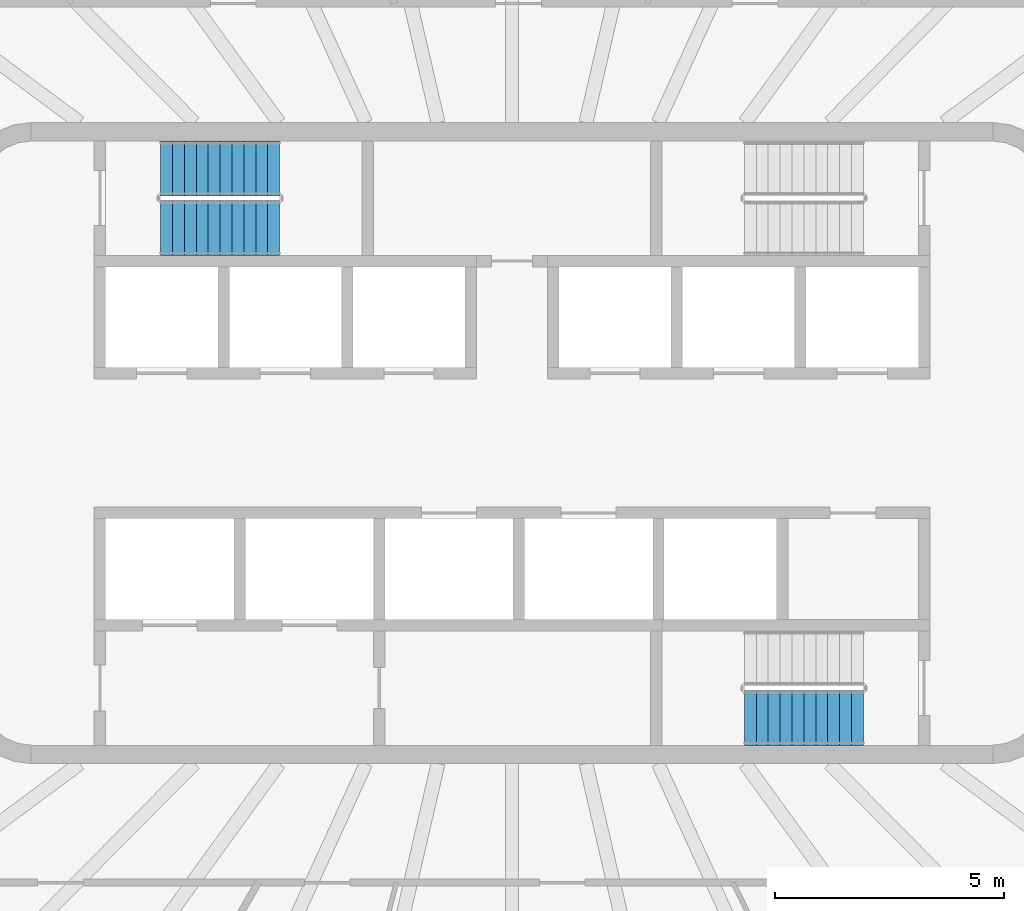
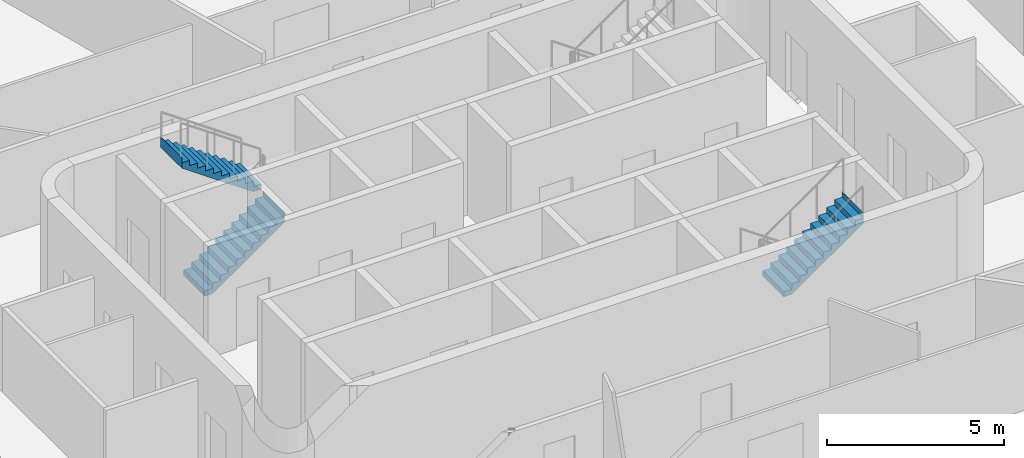
# One storey, part 13 of 19: 3 stair flights, 2 elements without a shape of their own.
"""IFC4 building model written with IfcOpenShell, lengths in metres."""

from ifc_helpers import new_model, si_unit, direction, frame, origin, place, context, subcontext, project, spatial, triangles, material, type_object, element, aggregate, save


model = new_model("IFC4")

# Units and contexts
model_context = context("Model", 3, precision=1e-05, world=origin(), true_north=direction((0.0, 1.0)))
body_context = subcontext(model_context, "Body", "Model", "MODEL_VIEW")
ifc_project = project(units=[si_unit("LENGTHUNIT", "METRE"), si_unit("AREAUNIT", "SQUARE_METRE"), si_unit("VOLUMEUNIT", "CUBIC_METRE"), si_unit("PLANEANGLEUNIT", "RADIAN"), si_unit("MASSUNIT", "GRAM", prefix="KILO")], contexts=[model_context])

# Site, building, storey
site_placement = place(None, origin())
site = spatial("IfcSite", under=ifc_project, at=site_placement, CompositionType="ELEMENT")
building_placement = place(site_placement, origin())
building = spatial("IfcBuilding", under=site, at=building_placement, Name="Sahrelin Media Tower", CompositionType="ELEMENT")
storey_placement = place(building_placement, frame((0.0, 0.0, 229.60009765625)))
storey = spatial("IfcBuildingStorey", under=building, at=storey_placement, Name="L49", CompositionType="ELEMENT", Elevation=229.60009765625)

# Stair, stair flights
ifc_material = material(Name="Concrete C40/50", Category="concrete")
stair_type = type_object("IfcStairType", Name="Exit stair 1200", PredefinedType="HALF_TURN_STAIR", material=ifc_material)
placement = place(storey_placement, origin())
stair_1 = element("IfcStair", 1, at=placement, inside=storey, type_object=stair_type, Name="L49 Exit stair ST1", PredefinedType="HALF_TURN_STAIR")
stair_flight_type = type_object("IfcStairFlightType", Name="Stair flight 1200", PredefinedType="STRAIGHT", material=ifc_material)
stair_flight_1_placement = place(storey_placement, frame((-7.675048828125, 4.699951171875, 0.0), z_axis=(0.0, 0.0, 1.0), x_axis=(1.0, 0.0, 0.0)))
stair_flight_1 = element("IfcStairFlight", 2, at=stair_flight_1_placement, type_object=stair_flight_type, Name="ST1 flight 1", NumberOfRisers=11, NumberOfTreads=10, PredefinedType="STRAIGHT", RiserHeight=0.181818182, TreadLength=0.26, context=body_context, shape_type="Tessellation", body=[
    triangles([(0.261474609375, 0.60009765625, 0.0), (0.261474609375, 0.300048828125, 0.0), (0.261474609375, 0.0, 0.0), (0.261474609375, -0.300048828125, 0.0), (0.261474609375, -0.60009765625, 0.0), (2.60009765625, 0.60009765625, 1.63525390625), (2.60009765625, 0.300048828125, 1.63525390625), (2.60009765625, 0.0, 1.63525390625), (2.60009765625, -0.300048828125, 1.63525390625), (2.60009765625, -0.60009765625, 1.63525390625), (2.60009765625, 0.60009765625, 2.0), (2.60009765625, 0.300048828125, 2.0), (2.60009765625, 0.0, 2.0), (2.60009765625, -0.300048828125, 2.0), (2.60009765625, -0.60009765625, 2.0), (2.597900390625, 0.60009765625, 2.0), (2.597900390625, 0.300048828125, 2.0), (2.597900390625, 0.0, 2.0), (2.597900390625, -0.300048828125, 2.0), (2.597900390625, -0.60009765625, 2.0), (2.597900390625, 0.60009765625, 1.818115234375), (2.597900390625, 0.300048828125, 1.818115234375), (2.597900390625, 0.0, 1.818115234375), (2.597900390625, -0.300048828125, 1.818115234375), (2.597900390625, -0.60009765625, 1.818115234375), (2.340087890625, 0.60009765625, 1.818115234375), (2.340087890625, 0.300048828125, 1.818115234375), (2.340087890625, 0.0, 1.818115234375), (2.340087890625, -0.300048828125, 1.818115234375), (2.340087890625, -0.60009765625, 1.818115234375), (2.340087890625, 0.60009765625, 1.636474609375), (2.340087890625, 0.300048828125, 1.636474609375), (2.340087890625, 0.0, 1.636474609375), (2.340087890625, -0.300048828125, 1.636474609375), (2.340087890625, -0.60009765625, 1.636474609375), (2.080078125, 0.60009765625, 1.636474609375), (2.080078125, 0.300048828125, 1.636474609375), (2.080078125, 0.0, 1.636474609375), (2.080078125, -0.300048828125, 1.636474609375), (2.080078125, -0.60009765625, 1.636474609375), (2.080078125, 0.60009765625, 1.45458984375), (2.080078125, 0.300048828125, 1.45458984375), (2.080078125, 0.0, 1.45458984375), (2.080078125, -0.300048828125, 1.45458984375), (2.080078125, -0.60009765625, 1.45458984375), (1.820068359375, 0.60009765625, 1.45458984375), (1.820068359375, 0.300048828125, 1.45458984375), (1.820068359375, 0.0, 1.45458984375), (1.820068359375, -0.300048828125, 1.45458984375), (1.820068359375, -0.60009765625, 1.45458984375), (1.820068359375, 0.60009765625, 1.272705078125), (1.820068359375, 0.300048828125, 1.272705078125), (1.820068359375, 0.0, 1.272705078125), (1.820068359375, -0.300048828125, 1.272705078125), (1.820068359375, -0.60009765625, 1.272705078125), (1.56005859375, 0.60009765625, 1.272705078125), (1.56005859375, 0.300048828125, 1.272705078125), (1.56005859375, 0.0, 1.272705078125), (1.56005859375, -0.300048828125, 1.272705078125), (1.56005859375, -0.60009765625, 1.272705078125), (1.56005859375, 0.60009765625, 1.0908203125), (1.56005859375, 0.300048828125, 1.0908203125), (1.56005859375, 0.0, 1.0908203125), (1.56005859375, -0.300048828125, 1.0908203125), (1.56005859375, -0.60009765625, 1.0908203125), (1.300048828125, 0.60009765625, 1.0908203125), (1.300048828125, 0.300048828125, 1.0908203125), (1.300048828125, 0.0, 1.0908203125), (1.300048828125, -0.300048828125, 1.0908203125), (1.300048828125, -0.60009765625, 1.0908203125), (1.300048828125, 0.60009765625, 0.9091796875), (1.300048828125, 0.300048828125, 0.9091796875), (1.300048828125, 0.0, 0.9091796875), (1.300048828125, -0.300048828125, 0.9091796875), (1.300048828125, -0.60009765625, 0.9091796875), (1.0400390625, 0.60009765625, 0.9091796875), (1.0400390625, 0.300048828125, 0.9091796875), (1.0400390625, 0.0, 0.9091796875), (1.0400390625, -0.300048828125, 0.9091796875), (1.0400390625, -0.60009765625, 0.9091796875), (1.0400390625, 0.60009765625, 0.727294921875), (1.0400390625, 0.300048828125, 0.727294921875), (1.0400390625, 0.0, 0.727294921875), (1.0400390625, -0.300048828125, 0.727294921875), (1.0400390625, -0.60009765625, 0.727294921875), (0.780029296875, 0.60009765625, 0.727294921875), (0.780029296875, 0.300048828125, 0.727294921875), (0.780029296875, 0.0, 0.727294921875), (0.780029296875, -0.300048828125, 0.727294921875), (0.780029296875, -0.60009765625, 0.727294921875), (0.780029296875, 0.60009765625, 0.54541015625), (0.780029296875, 0.300048828125, 0.54541015625), (0.780029296875, 0.0, 0.54541015625), (0.780029296875, -0.300048828125, 0.54541015625), (0.780029296875, -0.60009765625, 0.54541015625), (0.52001953125, 0.60009765625, 0.54541015625), (0.52001953125, 0.300048828125, 0.54541015625), (0.52001953125, 0.0, 0.54541015625), (0.52001953125, -0.300048828125, 0.54541015625), (0.52001953125, -0.60009765625, 0.54541015625), (0.52001953125, 0.60009765625, 0.363525390625), (0.52001953125, 0.300048828125, 0.363525390625), (0.52001953125, 0.0, 0.363525390625), (0.52001953125, -0.300048828125, 0.363525390625), (0.52001953125, -0.60009765625, 0.363525390625), (0.260009765625, 0.60009765625, 0.363525390625), (0.260009765625, 0.300048828125, 0.363525390625), (0.260009765625, 0.0, 0.363525390625), (0.260009765625, -0.300048828125, 0.363525390625), (0.260009765625, -0.60009765625, 0.363525390625), (0.260009765625, 0.60009765625, 0.181884765625), (0.260009765625, 0.300048828125, 0.181884765625), (0.260009765625, 0.0, 0.181884765625), (0.260009765625, -0.300048828125, 0.181884765625), (0.260009765625, -0.60009765625, 0.181884765625), (0.0, 0.60009765625, 0.181884765625), (0.0, 0.300048828125, 0.181884765625), (0.0, 0.0, 0.181884765625), (0.0, -0.300048828125, 0.181884765625), (0.0, -0.60009765625, 0.181884765625), (0.0, 0.60009765625, 0.0), (0.0, 0.300048828125, 0.0), (0.0, 0.0, 0.0), (0.0, -0.300048828125, 0.0), (0.0, -0.60009765625, 0.0)], [[1, 6, 7], [1, 7, 2], [2, 7, 8], [2, 8, 3], [3, 8, 9], [3, 9, 4], [4, 9, 10], [4, 10, 5], [6, 11, 12], [6, 12, 7], [7, 12, 13], [7, 13, 8], [8, 13, 14], [8, 14, 9], [9, 14, 15], [9, 15, 10], [11, 16, 17], [11, 17, 12], [12, 17, 18], [12, 18, 13], [13, 18, 19], [13, 19, 14], [14, 19, 20], [14, 20, 15], [16, 21, 22], [16, 22, 17], [17, 22, 23], [17, 23, 18], [18, 23, 24], [18, 24, 19], [19, 24, 25], [19, 25, 20], [21, 26, 27], [21, 27, 22], [22, 27, 28], [22, 28, 23], [23, 28, 29], [23, 29, 24], [24, 29, 30], [24, 30, 25], [26, 31, 32], [26, 32, 27], [27, 32, 33], [27, 33, 28], [28, 33, 34], [28, 34, 29], [29, 34, 35], [29, 35, 30], [31, 36, 37], [31, 37, 32], [32, 37, 38], [32, 38, 33], [33, 38, 39], [33, 39, 34], [34, 39, 40], [34, 40, 35], [36, 41, 42], [36, 42, 37], [37, 42, 43], [37, 43, 38], [38, 43, 44], [38, 44, 39], [39, 44, 45], [39, 45, 40], [41, 46, 47], [41, 47, 42], [42, 47, 48], [42, 48, 43], [43, 48, 49], [43, 49, 44], [44, 49, 50], [44, 50, 45], [46, 51, 52], [46, 52, 47], [47, 52, 53], [47, 53, 48], [48, 53, 54], [48, 54, 49], [49, 54, 55], [49, 55, 50], [51, 56, 57], [51, 57, 52], [52, 57, 58], [52, 58, 53], [53, 58, 59], [53, 59, 54], [54, 59, 60], [54, 60, 55], [56, 61, 62], [56, 62, 57], [57, 62, 63], [57, 63, 58], [58, 63, 64], [58, 64, 59], [59, 64, 65], [59, 65, 60], [61, 66, 67], [61, 67, 62], [62, 67, 68], [62, 68, 63], [63, 68, 69], [63, 69, 64], [64, 69, 70], [64, 70, 65], [66, 71, 72], [66, 72, 67], [67, 72, 73], [67, 73, 68], [68, 73, 74], [68, 74, 69], [69, 74, 75], [69, 75, 70], [71, 76, 77], [71, 77, 72], [72, 77, 78], [72, 78, 73], [73, 78, 79], [73, 79, 74], [74, 79, 80], [74, 80, 75], [76, 81, 82], [76, 82, 77], [77, 82, 83], [77, 83, 78], [78, 83, 84], [78, 84, 79], [79, 84, 85], [79, 85, 80], [81, 86, 87], [81, 87, 82], [82, 87, 88], [82, 88, 83], [83, 88, 89], [83, 89, 84], [84, 89, 90], [84, 90, 85], [86, 91, 92], [86, 92, 87], [87, 92, 93], [87, 93, 88], [88, 93, 94], [88, 94, 89], [89, 94, 95], [89, 95, 90], [91, 96, 97], [91, 97, 92], [92, 97, 98], [92, 98, 93], [93, 98, 99], [93, 99, 94], [94, 99, 100], [94, 100, 95], [96, 101, 102], [96, 102, 97], [97, 102, 103], [97, 103, 98], [98, 103, 104], [98, 104, 99], [99, 104, 105], [99, 105, 100], [101, 106, 107], [101, 107, 102], [102, 107, 108], [102, 108, 103], [103, 108, 109], [103, 109, 104], [104, 109, 110], [104, 110, 105], [106, 111, 112], [106, 112, 107], [107, 112, 113], [107, 113, 108], [108, 113, 114], [108, 114, 109], [109, 114, 115], [109, 115, 110], [111, 116, 117], [111, 117, 112], [112, 117, 118], [112, 118, 113], [113, 118, 119], [113, 119, 114], [114, 119, 120], [114, 120, 115], [116, 121, 122], [116, 122, 117], [117, 122, 123], [117, 123, 118], [118, 123, 124], [118, 124, 119], [119, 124, 125], [119, 125, 120], [121, 1, 2], [121, 2, 122], [122, 2, 3], [122, 3, 123], [123, 3, 4], [123, 4, 124], [124, 4, 5], [124, 5, 125], [115, 120, 125], [111, 121, 116], [115, 105, 110], [111, 106, 101], [105, 95, 100], [101, 96, 91], [95, 85, 90], [91, 86, 81], [85, 75, 80], [81, 76, 71], [75, 65, 70], [71, 66, 61], [65, 55, 60], [61, 56, 51], [55, 45, 50], [51, 46, 41], [45, 35, 40], [41, 36, 31], [35, 25, 30], [31, 26, 21], [25, 15, 20], [21, 16, 11], [125, 5, 115], [121, 111, 1], [25, 10, 15], [21, 11, 6], [105, 115, 5], [101, 1, 111], [35, 10, 25], [31, 21, 6], [95, 105, 5], [91, 1, 101], [45, 10, 35], [41, 31, 6], [85, 95, 5], [81, 1, 91], [55, 10, 45], [51, 41, 6], [75, 85, 5], [71, 1, 81], [65, 10, 55], [61, 51, 6], [5, 10, 75], [1, 71, 6], [75, 10, 65], [71, 61, 6]], closed=True),
])
stair_flight_2_placement = place(storey_placement, frame((-5.074951171875, 6.0, 2.0), z_axis=(0.0, 0.0, 1.0), x_axis=(-1.0, 0.0, 0.0)))
stair_flight_2 = element("IfcStairFlight", 3, at=stair_flight_2_placement, type_object=stair_flight_type, Name="ST1 flight 2", NumberOfRisers=11, NumberOfTreads=10, PredefinedType="STRAIGHT", RiserHeight=0.181818182, TreadLength=0.26, context=body_context, shape_type="Tessellation", body=[
    triangles([(0.261474609375, 0.60009765625, 0.0), (0.261474609375, 0.300048828125, 0.0), (0.261474609375, 0.0, 0.0), (0.261474609375, -0.300048828125, 0.0), (0.261474609375, -0.60009765625, 0.0), (2.60009765625, 0.60009765625, 1.63525390625), (2.60009765625, 0.300048828125, 1.63525390625), (2.60009765625, 0.0, 1.63525390625), (2.60009765625, -0.300048828125, 1.63525390625), (2.60009765625, -0.60009765625, 1.63525390625), (2.60009765625, 0.60009765625, 2.0), (2.60009765625, 0.300048828125, 2.0), (2.60009765625, 0.0, 2.0), (2.60009765625, -0.300048828125, 2.0), (2.60009765625, -0.60009765625, 2.0), (2.597900390625, 0.60009765625, 2.0), (2.597900390625, 0.300048828125, 2.0), (2.597900390625, 0.0, 2.0), (2.597900390625, -0.300048828125, 2.0), (2.597900390625, -0.60009765625, 2.0), (2.597900390625, 0.60009765625, 1.818115234375), (2.597900390625, 0.300048828125, 1.818115234375), (2.597900390625, 0.0, 1.818115234375), (2.597900390625, -0.300048828125, 1.818115234375), (2.597900390625, -0.60009765625, 1.818115234375), (2.340087890625, 0.60009765625, 1.818115234375), (2.340087890625, 0.300048828125, 1.818115234375), (2.340087890625, 0.0, 1.818115234375), (2.340087890625, -0.300048828125, 1.818115234375), (2.340087890625, -0.60009765625, 1.818115234375), (2.340087890625, 0.60009765625, 1.636474609375), (2.340087890625, 0.300048828125, 1.636474609375), (2.340087890625, 0.0, 1.636474609375), (2.340087890625, -0.300048828125, 1.636474609375), (2.340087890625, -0.60009765625, 1.636474609375), (2.080078125, 0.60009765625, 1.636474609375), (2.080078125, 0.300048828125, 1.636474609375), (2.080078125, 0.0, 1.636474609375), (2.080078125, -0.300048828125, 1.636474609375), (2.080078125, -0.60009765625, 1.636474609375), (2.080078125, 0.60009765625, 1.45458984375), (2.080078125, 0.300048828125, 1.45458984375), (2.080078125, 0.0, 1.45458984375), (2.080078125, -0.300048828125, 1.45458984375), (2.080078125, -0.60009765625, 1.45458984375), (1.820068359375, 0.60009765625, 1.45458984375), (1.820068359375, 0.300048828125, 1.45458984375), (1.820068359375, 0.0, 1.45458984375), (1.820068359375, -0.300048828125, 1.45458984375), (1.820068359375, -0.60009765625, 1.45458984375), (1.820068359375, 0.60009765625, 1.272705078125), (1.820068359375, 0.300048828125, 1.272705078125), (1.820068359375, 0.0, 1.272705078125), (1.820068359375, -0.300048828125, 1.272705078125), (1.820068359375, -0.60009765625, 1.272705078125), (1.56005859375, 0.60009765625, 1.272705078125), (1.56005859375, 0.300048828125, 1.272705078125), (1.56005859375, 0.0, 1.272705078125), (1.56005859375, -0.300048828125, 1.272705078125), (1.56005859375, -0.60009765625, 1.272705078125), (1.56005859375, 0.60009765625, 1.0908203125), (1.56005859375, 0.300048828125, 1.0908203125), (1.56005859375, 0.0, 1.0908203125), (1.56005859375, -0.300048828125, 1.0908203125), (1.56005859375, -0.60009765625, 1.0908203125), (1.300048828125, 0.60009765625, 1.0908203125), (1.300048828125, 0.300048828125, 1.0908203125), (1.300048828125, 0.0, 1.0908203125), (1.300048828125, -0.300048828125, 1.0908203125), (1.300048828125, -0.60009765625, 1.0908203125), (1.300048828125, 0.60009765625, 0.9091796875), (1.300048828125, 0.300048828125, 0.9091796875), (1.300048828125, 0.0, 0.9091796875), (1.300048828125, -0.300048828125, 0.9091796875), (1.300048828125, -0.60009765625, 0.9091796875), (1.0400390625, 0.60009765625, 0.9091796875), (1.0400390625, 0.300048828125, 0.9091796875), (1.0400390625, 0.0, 0.9091796875), (1.0400390625, -0.300048828125, 0.9091796875), (1.0400390625, -0.60009765625, 0.9091796875), (1.0400390625, 0.60009765625, 0.727294921875), (1.0400390625, 0.300048828125, 0.727294921875), (1.0400390625, 0.0, 0.727294921875), (1.0400390625, -0.300048828125, 0.727294921875), (1.0400390625, -0.60009765625, 0.727294921875), (0.780029296875, 0.60009765625, 0.727294921875), (0.780029296875, 0.300048828125, 0.727294921875), (0.780029296875, 0.0, 0.727294921875), (0.780029296875, -0.300048828125, 0.727294921875), (0.780029296875, -0.60009765625, 0.727294921875), (0.780029296875, 0.60009765625, 0.54541015625), (0.780029296875, 0.300048828125, 0.54541015625), (0.780029296875, 0.0, 0.54541015625), (0.780029296875, -0.300048828125, 0.54541015625), (0.780029296875, -0.60009765625, 0.54541015625), (0.52001953125, 0.60009765625, 0.54541015625), (0.52001953125, 0.300048828125, 0.54541015625), (0.52001953125, 0.0, 0.54541015625), (0.52001953125, -0.300048828125, 0.54541015625), (0.52001953125, -0.60009765625, 0.54541015625), (0.52001953125, 0.60009765625, 0.363525390625), (0.52001953125, 0.300048828125, 0.363525390625), (0.52001953125, 0.0, 0.363525390625), (0.52001953125, -0.300048828125, 0.363525390625), (0.52001953125, -0.60009765625, 0.363525390625), (0.260009765625, 0.60009765625, 0.363525390625), (0.260009765625, 0.300048828125, 0.363525390625), (0.260009765625, 0.0, 0.363525390625), (0.260009765625, -0.300048828125, 0.363525390625), (0.260009765625, -0.60009765625, 0.363525390625), (0.260009765625, 0.60009765625, 0.181884765625), (0.260009765625, 0.300048828125, 0.181884765625), (0.260009765625, 0.0, 0.181884765625), (0.260009765625, -0.300048828125, 0.181884765625), (0.260009765625, -0.60009765625, 0.181884765625), (0.0, 0.60009765625, 0.181884765625), (0.0, 0.300048828125, 0.181884765625), (0.0, 0.0, 0.181884765625), (0.0, -0.300048828125, 0.181884765625), (0.0, -0.60009765625, 0.181884765625), (0.0, 0.60009765625, 0.0), (0.0, 0.300048828125, 0.0), (0.0, 0.0, 0.0), (0.0, -0.300048828125, 0.0), (0.0, -0.60009765625, 0.0)], [[1, 6, 7], [1, 7, 2], [2, 7, 8], [2, 8, 3], [3, 8, 9], [3, 9, 4], [4, 9, 10], [4, 10, 5], [6, 11, 12], [6, 12, 7], [7, 12, 13], [7, 13, 8], [8, 13, 14], [8, 14, 9], [9, 14, 15], [9, 15, 10], [11, 16, 17], [11, 17, 12], [12, 17, 18], [12, 18, 13], [13, 18, 19], [13, 19, 14], [14, 19, 20], [14, 20, 15], [16, 21, 22], [16, 22, 17], [17, 22, 23], [17, 23, 18], [18, 23, 24], [18, 24, 19], [19, 24, 25], [19, 25, 20], [21, 26, 27], [21, 27, 22], [22, 27, 28], [22, 28, 23], [23, 28, 29], [23, 29, 24], [24, 29, 30], [24, 30, 25], [26, 31, 32], [26, 32, 27], [27, 32, 33], [27, 33, 28], [28, 33, 34], [28, 34, 29], [29, 34, 35], [29, 35, 30], [31, 36, 37], [31, 37, 32], [32, 37, 38], [32, 38, 33], [33, 38, 39], [33, 39, 34], [34, 39, 40], [34, 40, 35], [36, 41, 42], [36, 42, 37], [37, 42, 43], [37, 43, 38], [38, 43, 44], [38, 44, 39], [39, 44, 45], [39, 45, 40], [41, 46, 47], [41, 47, 42], [42, 47, 48], [42, 48, 43], [43, 48, 49], [43, 49, 44], [44, 49, 50], [44, 50, 45], [46, 51, 52], [46, 52, 47], [47, 52, 53], [47, 53, 48], [48, 53, 54], [48, 54, 49], [49, 54, 55], [49, 55, 50], [51, 56, 57], [51, 57, 52], [52, 57, 58], [52, 58, 53], [53, 58, 59], [53, 59, 54], [54, 59, 60], [54, 60, 55], [56, 61, 62], [56, 62, 57], [57, 62, 63], [57, 63, 58], [58, 63, 64], [58, 64, 59], [59, 64, 65], [59, 65, 60], [61, 66, 67], [61, 67, 62], [62, 67, 68], [62, 68, 63], [63, 68, 69], [63, 69, 64], [64, 69, 70], [64, 70, 65], [66, 71, 72], [66, 72, 67], [67, 72, 73], [67, 73, 68], [68, 73, 74], [68, 74, 69], [69, 74, 75], [69, 75, 70], [71, 76, 77], [71, 77, 72], [72, 77, 78], [72, 78, 73], [73, 78, 79], [73, 79, 74], [74, 79, 80], [74, 80, 75], [76, 81, 82], [76, 82, 77], [77, 82, 83], [77, 83, 78], [78, 83, 84], [78, 84, 79], [79, 84, 85], [79, 85, 80], [81, 86, 87], [81, 87, 82], [82, 87, 88], [82, 88, 83], [83, 88, 89], [83, 89, 84], [84, 89, 90], [84, 90, 85], [86, 91, 92], [86, 92, 87], [87, 92, 93], [87, 93, 88], [88, 93, 94], [88, 94, 89], [89, 94, 95], [89, 95, 90], [91, 96, 97], [91, 97, 92], [92, 97, 98], [92, 98, 93], [93, 98, 99], [93, 99, 94], [94, 99, 100], [94, 100, 95], [96, 101, 102], [96, 102, 97], [97, 102, 103], [97, 103, 98], [98, 103, 104], [98, 104, 99], [99, 104, 105], [99, 105, 100], [101, 106, 107], [101, 107, 102], [102, 107, 108], [102, 108, 103], [103, 108, 109], [103, 109, 104], [104, 109, 110], [104, 110, 105], [106, 111, 112], [106, 112, 107], [107, 112, 113], [107, 113, 108], [108, 113, 114], [108, 114, 109], [109, 114, 115], [109, 115, 110], [111, 116, 117], [111, 117, 112], [112, 117, 118], [112, 118, 113], [113, 118, 119], [113, 119, 114], [114, 119, 120], [114, 120, 115], [116, 121, 122], [116, 122, 117], [117, 122, 123], [117, 123, 118], [118, 123, 124], [118, 124, 119], [119, 124, 125], [119, 125, 120], [121, 1, 2], [121, 2, 122], [122, 2, 3], [122, 3, 123], [123, 3, 4], [123, 4, 124], [124, 4, 5], [124, 5, 125], [115, 120, 125], [111, 121, 116], [115, 105, 110], [111, 106, 101], [105, 95, 100], [101, 96, 91], [95, 85, 90], [91, 86, 81], [85, 75, 80], [81, 76, 71], [75, 65, 70], [71, 66, 61], [65, 55, 60], [61, 56, 51], [55, 45, 50], [51, 46, 41], [45, 35, 40], [41, 36, 31], [35, 25, 30], [31, 26, 21], [25, 15, 20], [21, 16, 11], [125, 5, 115], [121, 111, 1], [25, 10, 15], [21, 11, 6], [105, 115, 5], [101, 1, 111], [35, 10, 25], [31, 21, 6], [95, 105, 5], [91, 1, 101], [45, 10, 35], [41, 31, 6], [85, 95, 5], [81, 1, 91], [55, 10, 45], [51, 41, 6], [75, 85, 5], [71, 1, 81], [65, 10, 55], [61, 51, 6], [5, 10, 75], [1, 71, 6], [75, 10, 65], [71, 61, 6]], closed=True),
])
aggregate(stair_1, [stair_flight_1, stair_flight_2])

# Stair, stair flight
stair_2 = element("IfcStair", 4, at=placement, inside=storey, type_object=stair_type, Name="L49 Exit stair ST2", PredefinedType="HALF_TURN_STAIR")
stair_flight_3_placement = place(storey_placement, frame((5.074951171875, -6.0, 2.0), z_axis=(0.0, 0.0, 1.0), x_axis=(1.0, 0.0, 0.0)))
stair_flight_3 = element("IfcStairFlight", 5, at=stair_flight_3_placement, type_object=stair_flight_type, Name="ST2 flight 2", NumberOfRisers=11, NumberOfTreads=10, PredefinedType="STRAIGHT", RiserHeight=0.181818182, TreadLength=0.26, context=body_context, shape_type="Tessellation", body=[
    triangles([(0.261474609375, 0.60009765625, 0.0), (0.261474609375, 0.300048828125, 0.0), (0.261474609375, 0.0, 0.0), (0.261474609375, -0.300048828125, 0.0), (0.261474609375, -0.60009765625, 0.0), (2.60009765625, 0.60009765625, 1.63525390625), (2.60009765625, 0.300048828125, 1.63525390625), (2.60009765625, 0.0, 1.63525390625), (2.60009765625, -0.300048828125, 1.63525390625), (2.60009765625, -0.60009765625, 1.63525390625), (2.60009765625, 0.60009765625, 2.0), (2.60009765625, 0.300048828125, 2.0), (2.60009765625, 0.0, 2.0), (2.60009765625, -0.300048828125, 2.0), (2.60009765625, -0.60009765625, 2.0), (2.597900390625, 0.60009765625, 2.0), (2.597900390625, 0.300048828125, 2.0), (2.597900390625, 0.0, 2.0), (2.597900390625, -0.300048828125, 2.0), (2.597900390625, -0.60009765625, 2.0), (2.597900390625, 0.60009765625, 1.818115234375), (2.597900390625, 0.300048828125, 1.818115234375), (2.597900390625, 0.0, 1.818115234375), (2.597900390625, -0.300048828125, 1.818115234375), (2.597900390625, -0.60009765625, 1.818115234375), (2.340087890625, 0.60009765625, 1.818115234375), (2.340087890625, 0.300048828125, 1.818115234375), (2.340087890625, 0.0, 1.818115234375), (2.340087890625, -0.300048828125, 1.818115234375), (2.340087890625, -0.60009765625, 1.818115234375), (2.340087890625, 0.60009765625, 1.636474609375), (2.340087890625, 0.300048828125, 1.636474609375), (2.340087890625, 0.0, 1.636474609375), (2.340087890625, -0.300048828125, 1.636474609375), (2.340087890625, -0.60009765625, 1.636474609375), (2.080078125, 0.60009765625, 1.636474609375), (2.080078125, 0.300048828125, 1.636474609375), (2.080078125, 0.0, 1.636474609375), (2.080078125, -0.300048828125, 1.636474609375), (2.080078125, -0.60009765625, 1.636474609375), (2.080078125, 0.60009765625, 1.45458984375), (2.080078125, 0.300048828125, 1.45458984375), (2.080078125, 0.0, 1.45458984375), (2.080078125, -0.300048828125, 1.45458984375), (2.080078125, -0.60009765625, 1.45458984375), (1.820068359375, 0.60009765625, 1.45458984375), (1.820068359375, 0.300048828125, 1.45458984375), (1.820068359375, 0.0, 1.45458984375), (1.820068359375, -0.300048828125, 1.45458984375), (1.820068359375, -0.60009765625, 1.45458984375), (1.820068359375, 0.60009765625, 1.272705078125), (1.820068359375, 0.300048828125, 1.272705078125), (1.820068359375, 0.0, 1.272705078125), (1.820068359375, -0.300048828125, 1.272705078125), (1.820068359375, -0.60009765625, 1.272705078125), (1.56005859375, 0.60009765625, 1.272705078125), (1.56005859375, 0.300048828125, 1.272705078125), (1.56005859375, 0.0, 1.272705078125), (1.56005859375, -0.300048828125, 1.272705078125), (1.56005859375, -0.60009765625, 1.272705078125), (1.56005859375, 0.60009765625, 1.0908203125), (1.56005859375, 0.300048828125, 1.0908203125), (1.56005859375, 0.0, 1.0908203125), (1.56005859375, -0.300048828125, 1.0908203125), (1.56005859375, -0.60009765625, 1.0908203125), (1.300048828125, 0.60009765625, 1.0908203125), (1.300048828125, 0.300048828125, 1.0908203125), (1.300048828125, 0.0, 1.0908203125), (1.300048828125, -0.300048828125, 1.0908203125), (1.300048828125, -0.60009765625, 1.0908203125), (1.300048828125, 0.60009765625, 0.9091796875), (1.300048828125, 0.300048828125, 0.9091796875), (1.300048828125, 0.0, 0.9091796875), (1.300048828125, -0.300048828125, 0.9091796875), (1.300048828125, -0.60009765625, 0.9091796875), (1.0400390625, 0.60009765625, 0.9091796875), (1.0400390625, 0.300048828125, 0.9091796875), (1.0400390625, 0.0, 0.9091796875), (1.0400390625, -0.300048828125, 0.9091796875), (1.0400390625, -0.60009765625, 0.9091796875), (1.0400390625, 0.60009765625, 0.727294921875), (1.0400390625, 0.300048828125, 0.727294921875), (1.0400390625, 0.0, 0.727294921875), (1.0400390625, -0.300048828125, 0.727294921875), (1.0400390625, -0.60009765625, 0.727294921875), (0.780029296875, 0.60009765625, 0.727294921875), (0.780029296875, 0.300048828125, 0.727294921875), (0.780029296875, 0.0, 0.727294921875), (0.780029296875, -0.300048828125, 0.727294921875), (0.780029296875, -0.60009765625, 0.727294921875), (0.780029296875, 0.60009765625, 0.54541015625), (0.780029296875, 0.300048828125, 0.54541015625), (0.780029296875, 0.0, 0.54541015625), (0.780029296875, -0.300048828125, 0.54541015625), (0.780029296875, -0.60009765625, 0.54541015625), (0.52001953125, 0.60009765625, 0.54541015625), (0.52001953125, 0.300048828125, 0.54541015625), (0.52001953125, 0.0, 0.54541015625), (0.52001953125, -0.300048828125, 0.54541015625), (0.52001953125, -0.60009765625, 0.54541015625), (0.52001953125, 0.60009765625, 0.363525390625), (0.52001953125, 0.300048828125, 0.363525390625), (0.52001953125, 0.0, 0.363525390625), (0.52001953125, -0.300048828125, 0.363525390625), (0.52001953125, -0.60009765625, 0.363525390625), (0.260009765625, 0.60009765625, 0.363525390625), (0.260009765625, 0.300048828125, 0.363525390625), (0.260009765625, 0.0, 0.363525390625), (0.260009765625, -0.300048828125, 0.363525390625), (0.260009765625, -0.60009765625, 0.363525390625), (0.260009765625, 0.60009765625, 0.181884765625), (0.260009765625, 0.300048828125, 0.181884765625), (0.260009765625, 0.0, 0.181884765625), (0.260009765625, -0.300048828125, 0.181884765625), (0.260009765625, -0.60009765625, 0.181884765625), (0.0, 0.60009765625, 0.181884765625), (0.0, 0.300048828125, 0.181884765625), (0.0, 0.0, 0.181884765625), (0.0, -0.300048828125, 0.181884765625), (0.0, -0.60009765625, 0.181884765625), (0.0, 0.60009765625, 0.0), (0.0, 0.300048828125, 0.0), (0.0, 0.0, 0.0), (0.0, -0.300048828125, 0.0), (0.0, -0.60009765625, 0.0)], [[1, 6, 7], [1, 7, 2], [2, 7, 8], [2, 8, 3], [3, 8, 9], [3, 9, 4], [4, 9, 10], [4, 10, 5], [6, 11, 12], [6, 12, 7], [7, 12, 13], [7, 13, 8], [8, 13, 14], [8, 14, 9], [9, 14, 15], [9, 15, 10], [11, 16, 17], [11, 17, 12], [12, 17, 18], [12, 18, 13], [13, 18, 19], [13, 19, 14], [14, 19, 20], [14, 20, 15], [16, 21, 22], [16, 22, 17], [17, 22, 23], [17, 23, 18], [18, 23, 24], [18, 24, 19], [19, 24, 25], [19, 25, 20], [21, 26, 27], [21, 27, 22], [22, 27, 28], [22, 28, 23], [23, 28, 29], [23, 29, 24], [24, 29, 30], [24, 30, 25], [26, 31, 32], [26, 32, 27], [27, 32, 33], [27, 33, 28], [28, 33, 34], [28, 34, 29], [29, 34, 35], [29, 35, 30], [31, 36, 37], [31, 37, 32], [32, 37, 38], [32, 38, 33], [33, 38, 39], [33, 39, 34], [34, 39, 40], [34, 40, 35], [36, 41, 42], [36, 42, 37], [37, 42, 43], [37, 43, 38], [38, 43, 44], [38, 44, 39], [39, 44, 45], [39, 45, 40], [41, 46, 47], [41, 47, 42], [42, 47, 48], [42, 48, 43], [43, 48, 49], [43, 49, 44], [44, 49, 50], [44, 50, 45], [46, 51, 52], [46, 52, 47], [47, 52, 53], [47, 53, 48], [48, 53, 54], [48, 54, 49], [49, 54, 55], [49, 55, 50], [51, 56, 57], [51, 57, 52], [52, 57, 58], [52, 58, 53], [53, 58, 59], [53, 59, 54], [54, 59, 60], [54, 60, 55], [56, 61, 62], [56, 62, 57], [57, 62, 63], [57, 63, 58], [58, 63, 64], [58, 64, 59], [59, 64, 65], [59, 65, 60], [61, 66, 67], [61, 67, 62], [62, 67, 68], [62, 68, 63], [63, 68, 69], [63, 69, 64], [64, 69, 70], [64, 70, 65], [66, 71, 72], [66, 72, 67], [67, 72, 73], [67, 73, 68], [68, 73, 74], [68, 74, 69], [69, 74, 75], [69, 75, 70], [71, 76, 77], [71, 77, 72], [72, 77, 78], [72, 78, 73], [73, 78, 79], [73, 79, 74], [74, 79, 80], [74, 80, 75], [76, 81, 82], [76, 82, 77], [77, 82, 83], [77, 83, 78], [78, 83, 84], [78, 84, 79], [79, 84, 85], [79, 85, 80], [81, 86, 87], [81, 87, 82], [82, 87, 88], [82, 88, 83], [83, 88, 89], [83, 89, 84], [84, 89, 90], [84, 90, 85], [86, 91, 92], [86, 92, 87], [87, 92, 93], [87, 93, 88], [88, 93, 94], [88, 94, 89], [89, 94, 95], [89, 95, 90], [91, 96, 97], [91, 97, 92], [92, 97, 98], [92, 98, 93], [93, 98, 99], [93, 99, 94], [94, 99, 100], [94, 100, 95], [96, 101, 102], [96, 102, 97], [97, 102, 103], [97, 103, 98], [98, 103, 104], [98, 104, 99], [99, 104, 105], [99, 105, 100], [101, 106, 107], [101, 107, 102], [102, 107, 108], [102, 108, 103], [103, 108, 109], [103, 109, 104], [104, 109, 110], [104, 110, 105], [106, 111, 112], [106, 112, 107], [107, 112, 113], [107, 113, 108], [108, 113, 114], [108, 114, 109], [109, 114, 115], [109, 115, 110], [111, 116, 117], [111, 117, 112], [112, 117, 118], [112, 118, 113], [113, 118, 119], [113, 119, 114], [114, 119, 120], [114, 120, 115], [116, 121, 122], [116, 122, 117], [117, 122, 123], [117, 123, 118], [118, 123, 124], [118, 124, 119], [119, 124, 125], [119, 125, 120], [121, 1, 2], [121, 2, 122], [122, 2, 3], [122, 3, 123], [123, 3, 4], [123, 4, 124], [124, 4, 5], [124, 5, 125], [115, 120, 125], [111, 121, 116], [115, 105, 110], [111, 106, 101], [105, 95, 100], [101, 96, 91], [95, 85, 90], [91, 86, 81], [85, 75, 80], [81, 76, 71], [75, 65, 70], [71, 66, 61], [65, 55, 60], [61, 56, 51], [55, 45, 50], [51, 46, 41], [45, 35, 40], [41, 36, 31], [35, 25, 30], [31, 26, 21], [25, 15, 20], [21, 16, 11], [125, 5, 115], [121, 111, 1], [25, 10, 15], [21, 11, 6], [105, 115, 5], [101, 1, 111], [35, 10, 25], [31, 21, 6], [95, 105, 5], [91, 1, 101], [45, 10, 35], [41, 31, 6], [85, 95, 5], [81, 1, 91], [55, 10, 45], [51, 41, 6], [75, 85, 5], [71, 1, 81], [65, 10, 55], [61, 51, 6], [5, 10, 75], [1, 71, 6], [75, 10, 65], [71, 61, 6]], closed=True),
])
aggregate(stair_2, [stair_flight_3])

save(model, "model.ifc")
